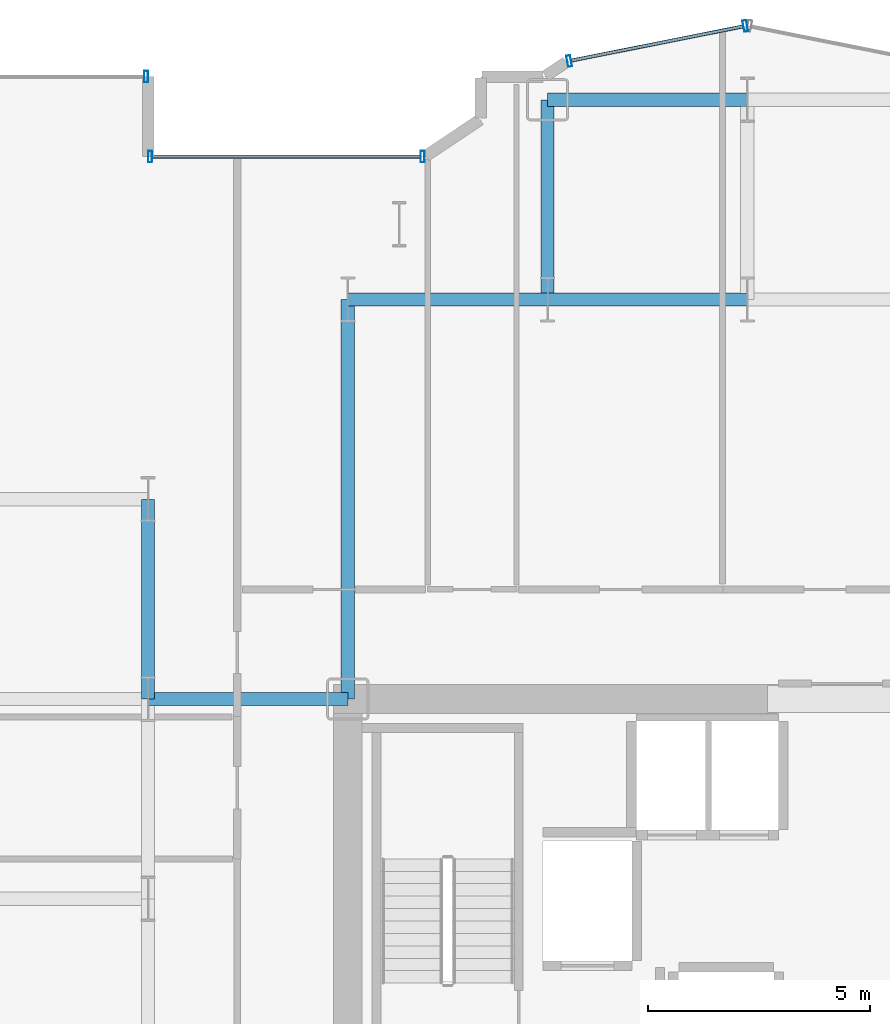
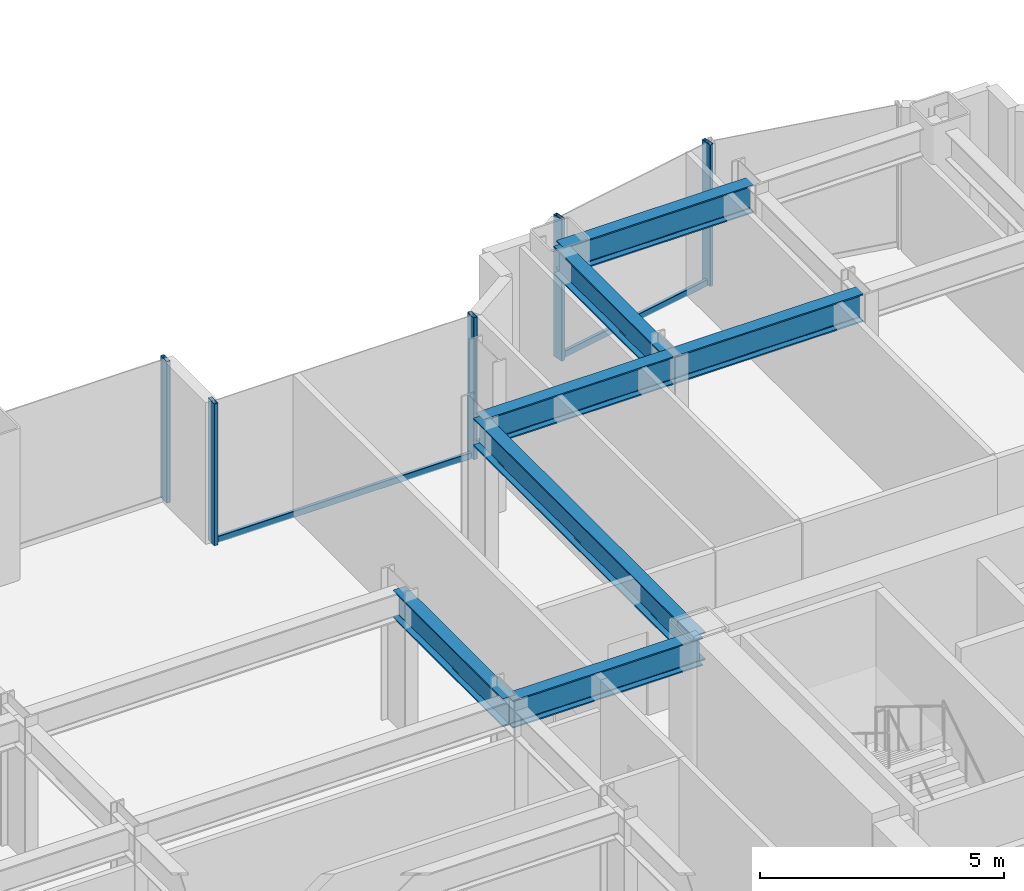
# One storey, part 10 of 25: 7 beams, 7 members, 3 elements without a shape of their own.
"""IFC4 building model written with IfcOpenShell, lengths in metres."""

from ifc_helpers import new_model, si_unit, direction, frame, origin, origin_2d, place, context, subcontext, project, spatial, hollow_rectangle, i_section, extrude, source, transform, mapped, material, layer, layer_set, material_profile, profile_set, type_object, element, aggregate, save


model = new_model("IFC4")

# Units and contexts
model_context = context("Model", 3, precision=1e-05, world=origin(), true_north=direction((0.0, 1.0)))
body_context = subcontext(model_context, "Body", "Model", "MODEL_VIEW")
ifc_project = project(units=[si_unit("LENGTHUNIT", "METRE"), si_unit("AREAUNIT", "SQUARE_METRE"), si_unit("VOLUMEUNIT", "CUBIC_METRE"), si_unit("PLANEANGLEUNIT", "RADIAN"), si_unit("MASSUNIT", "GRAM", prefix="KILO")], contexts=[model_context])

# Site, building, storey
site_placement = place(None, origin())
site = spatial("IfcSite", under=ifc_project, at=site_placement, CompositionType="ELEMENT")
building_placement = place(site_placement, origin())
building = spatial("IfcBuilding", under=site, at=building_placement, Name="Nefas-Gora Pilgrimage Tower", CompositionType="ELEMENT")
storey_placement = place(building_placement, frame((0.0, 0.0, 71.0)))
storey = spatial("IfcBuildingStorey", under=building, at=storey_placement, Name="L16", CompositionType="ELEMENT", Elevation=71.0)

# Beams
ifc_material_1 = material(Name="Steel S355", Category="steel")
ifc_material_profile_1 = material_profile(ifc_material_1, i_section(OverallWidth=0.300048828125, OverallDepth=0.699951171875, WebThickness=0.01708984375, FlangeThickness=0.031982421875, FilletRadius=0.027099609375, at=origin_2d()), Name="HEB 700")
ifc_profile_set_1 = profile_set([ifc_material_profile_1], Name="Steel S355")
beam_type = type_object("IfcBeamType", Name="BM-GIR-HEB700", PredefinedType="BEAM", material=ifc_profile_set_1)
shared_shape_1 = source(origin(), body_context, "Body", "SweptSolid", [
    extrude(i_section(OverallWidth=0.300048828125, OverallDepth=0.699951171875, WebThickness=0.01708984375, FlangeThickness=0.031982421875, FilletRadius=0.027099609375, at=origin_2d()), origin(), (0.0, 0.0, 1.0), 9.0),
])
beam_placement = place(storey_placement, frame((-11.25, 9.0, 3.199951171875), z_axis=(0.0, 1.0, 0.0), x_axis=(-1.0, 0.0, 0.0)))
element("IfcBeam", 1, at=beam_placement, inside=storey, type_object=beam_type, Name="L16 G-02 beam", PredefinedType="BEAM", context=body_context, shape_type="MappedRepresentation", body=[
    mapped(shared_shape_1, transform((0.0, 0.0, 0.0), x_axis=(1.0, 0.0, 0.0), y_axis=(0.0, 1.0, 0.0), z_axis=(0.0, 0.0, 1.0), scale=1.0)),
])
shared_shape_2 = source(origin(), body_context, "Body", "SweptSolid", [
    extrude(i_section(OverallWidth=0.300048828125, OverallDepth=0.699951171875, WebThickness=0.01708984375, FlangeThickness=0.031982421875, FilletRadius=0.027099609375, at=origin_2d()), origin(), (0.0, 0.0, 1.0), 4.5),
])
for number, where, z_axis, x_axis, name in (
    (2, (-15.75, 9.0, 3.199951171875), (0.0, 1.0, 0.0), (-1.0, 0.0, 0.0), "L16 G-02 beam"),
    (3, (-15.75, 9.0, 3.199951171875), (1.0, 0.0, 0.0), (0.0, 1.0, 0.0), "L16 G-02 beam"),
    (4, (-11.25, 18.0, 3.199951171875), (1.0, 0.0, 0.0), (0.0, 1.0, 0.0), "L16 G-02 beam"),
    (5, (-6.75, 18.0, 3.199951171875), (0.0, 1.0, 0.0), (-1.0, 0.0, 0.0), "L16 G-02 beam"),
    (6, (-6.75, 18.0, 3.199951171875), (1.0, 0.0, 0.0), (0.0, 1.0, 0.0), "L16 G-02 beam"),
    (7, (-6.75, 22.5, 3.199951171875), (1.0, 0.0, 0.0), (0.0, 1.0, 0.0), "L16 G-02 beam"),
):
    element("IfcBeam", number, at=place(storey_placement, frame(where, z_axis=z_axis, x_axis=x_axis)), inside=storey, type_object=beam_type, Name=name, PredefinedType="BEAM", context=body_context, shape_type="MappedRepresentation", body=[
        mapped(shared_shape_2, transform((0.0, 0.0, 0.0), x_axis=(1.0, 0.0, 0.0), y_axis=(0.0, 1.0, 0.0), z_axis=(0.0, 0.0, 1.0), scale=1.0)),
    ])

# Curtain wall, members
ifc_material_2 = material(Name="Dark ceramic-fritted solar-control aluminium-glass curtain wall", Category="aluminium")
ifc_layer_1 = layer(ifc_material_2, 0.219970703125)
ifc_layer_set_1 = layer_set([ifc_layer_1], Name="Dark ceramic-fritted solar-control aluminium-glass curtain wall")
curtain_wall_type_1 = type_object("IfcCurtainWallType", Name="CW-SYS-5", PredefinedType="NOTDEFINED", material=ifc_layer_set_1)
curtain_wall_1_placement = place(storey_placement, origin())
curtain_wall_1 = element("IfcCurtainWall", 8, at=curtain_wall_1_placement, inside=storey, type_object=curtain_wall_type_1, Name="L16 Unitised Curtain Wall CW5", PredefinedType="NOTDEFINED")
ifc_material_3 = material(Name="Anodised architectural aluminium", Category="aluminium")
ifc_material_profile_2 = material_profile(ifc_material_3, hollow_rectangle(XDim=0.090087890625, YDim=0.260009765625, WallThickness=0.006103515625, InnerFilletRadius=0.006103515625, OuterFilletRadius=0.011962890625, at=origin_2d()), Name="ALU MULLION 90x260")
ifc_profile_set_2 = profile_set([ifc_material_profile_2], Name="Anodised architectural aluminium")
member_type_1 = type_object("IfcMemberType", Name="CWM-MUL-5", PredefinedType="MULLION", material=ifc_profile_set_2)
shared_shape_3 = source(origin(), body_context, "Body", "SweptSolid", [
    extrude(hollow_rectangle(XDim=0.090087890625, YDim=0.260009765625, WallThickness=0.006103515625, InnerFilletRadius=0.006103515625, OuterFilletRadius=0.011962890625, at=origin_2d()), origin(), (0.0, 0.0, 1.0), 3.550048828125),
])
member_1_placement = place(storey_placement, frame((-2.294189453125, 24.16357421875, 0.0), z_axis=(0.0, 0.0, 1.0), x_axis=(-0.980782896852, -0.195102304554, 0.0)))
member_1 = element("IfcMember", 9, at=member_1_placement, type_object=member_type_1, Name="CW5 Mullion 1", PredefinedType="MULLION", context=body_context, shape_type="MappedRepresentation", body=[
    mapped(shared_shape_3, transform((0.0, 0.0, 0.0), x_axis=(1.0, 0.0, 0.0), y_axis=(0.0, 1.0, 0.0), z_axis=(0.0, 0.0, 1.0), scale=1.0)),
])
member_2_placement = place(storey_placement, frame((-6.26318359375, 23.3740234375, 0.0), z_axis=(0.0, 0.0, 1.0), x_axis=(-0.980782896852, -0.195102304554, 0.0)))
member_2 = element("IfcMember", 10, at=member_2_placement, type_object=member_type_1, Name="CW5 Mullion 2", PredefinedType="MULLION", context=body_context, shape_type="MappedRepresentation", body=[
    mapped(shared_shape_3, transform((0.0, 0.0, 0.0), x_axis=(1.0, 0.0, 0.0), y_axis=(0.0, 1.0, 0.0), z_axis=(0.0, 0.0, 1.0), scale=1.0)),
])

curtain_wall_2_placement = place(storey_placement, origin())
curtain_wall_2 = element("IfcCurtainWall", 11, at=curtain_wall_2_placement, inside=storey, type_object=curtain_wall_type_1, Name="L16 Unitised Curtain Wall CW5", PredefinedType="NOTDEFINED")
member_3_placement = place(storey_placement, frame((-9.56298828125, 21.219970703125, 0.0), z_axis=(0.0, 0.0, 1.0), x_axis=(-1.0, 0.0, 0.0)))
member_3 = element("IfcMember", 12, at=member_3_placement, type_object=member_type_1, Name="CW5 Mullion 1", PredefinedType="MULLION", context=body_context, shape_type="MappedRepresentation", body=[
    mapped(shared_shape_3, transform((0.0, 0.0, 0.0), x_axis=(1.0, 0.0, 0.0), y_axis=(0.0, 1.0, 0.0), z_axis=(0.0, 0.0, 1.0), scale=1.0)),
])
member_4_placement = place(storey_placement, frame((-15.705078125, 21.219970703125, 0.0), z_axis=(0.0, 0.0, 1.0), x_axis=(-1.0, 0.0, 0.0)))
member_4 = element("IfcMember", 13, at=member_4_placement, type_object=member_type_1, Name="CW5 Mullion 2", PredefinedType="MULLION", context=body_context, shape_type="MappedRepresentation", body=[
    mapped(shared_shape_3, transform((0.0, 0.0, 0.0), x_axis=(1.0, 0.0, 0.0), y_axis=(0.0, 1.0, 0.0), z_axis=(0.0, 0.0, 1.0), scale=1.0)),
])
ifc_material_profile_3 = material_profile(ifc_material_3, hollow_rectangle(XDim=0.080078125, YDim=0.159912109375, WallThickness=0.00439453125, InnerFilletRadius=0.00439453125, OuterFilletRadius=0.009033203125, at=origin_2d()), Name="ALU TRANSOM 80x160")
ifc_profile_set_3 = profile_set([ifc_material_profile_3], Name="Anodised architectural aluminium")
member_type_2 = type_object("IfcMemberType", Name="CWM-TRN-5", PredefinedType="USERDEFINED", material=ifc_profile_set_3)
shared_shape_4 = source(origin(), body_context, "Body", "SweptSolid", [
    extrude(hollow_rectangle(XDim=0.080078125, YDim=0.159912109375, WallThickness=0.00439453125, InnerFilletRadius=0.00439453125, OuterFilletRadius=0.009033203125, at=origin_2d()), origin(), (0.0, 0.0, 1.0), 6.052001953125),
])
member_5_placement = place(storey_placement, frame((-9.60791015625, 21.219970703125, 0.050048828125), z_axis=(-1.0, 0.0, 0.0), x_axis=(0.0, -1.0, 0.0)))
member_5 = element("IfcMember", 14, at=member_5_placement, type_object=member_type_2, Name="CW5 Spandrel Transom", ObjectType="TRANSOM", PredefinedType="USERDEFINED", context=body_context, shape_type="MappedRepresentation", body=[
    mapped(shared_shape_4, transform((0.0, 0.0, 0.0), x_axis=(1.0, 0.0, 0.0), y_axis=(0.0, 1.0, 0.0), z_axis=(0.0, 0.0, 1.0), scale=1.0)),
])
aggregate(curtain_wall_2, [member_3, member_4, member_5])

# Curtain wall, member
ifc_layer_2 = layer(ifc_material_2, 0.219970703125)
ifc_layer_set_2 = layer_set([ifc_layer_2], Name="Dark ceramic-fritted solar-control aluminium-glass curtain wall")
curtain_wall_type_2 = type_object("IfcCurtainWallType", Name="CW-SYS-2", PredefinedType="NOTDEFINED", material=ifc_layer_set_2)
curtain_wall_3_placement = place(storey_placement, origin())
curtain_wall_3 = element("IfcCurtainWall", 15, at=curtain_wall_3_placement, inside=storey, type_object=curtain_wall_type_2, Name="L16 Unitised Curtain Wall CW2", PredefinedType="NOTDEFINED")
ifc_material_profile_4 = material_profile(ifc_material_3, hollow_rectangle(XDim=0.090087890625, YDim=0.260009765625, WallThickness=0.006103515625, InnerFilletRadius=0.006103515625, OuterFilletRadius=0.011962890625, at=origin_2d()), Name="ALU MULLION 90x260")
ifc_profile_set_4 = profile_set([ifc_material_profile_4], Name="Anodised architectural aluminium")
member_type_3 = type_object("IfcMemberType", Name="CWM-MUL-2", PredefinedType="MULLION", material=ifc_profile_set_4)
shared_shape_5 = source(origin(), body_context, "Body", "SweptSolid", [
    extrude(hollow_rectangle(XDim=0.090087890625, YDim=0.260009765625, WallThickness=0.006103515625, InnerFilletRadius=0.006103515625, OuterFilletRadius=0.011962890625, at=origin_2d()), origin(), (0.0, 0.0, 1.0), 3.550048828125),
])
member_6_placement = place(storey_placement, frame((-15.794921875, 23.02001953125, 0.0), z_axis=(0.0, 0.0, 1.0), x_axis=(-1.0, 0.0, 0.0)))
member_6 = element("IfcMember", 16, at=member_6_placement, type_object=member_type_3, Name="CW2 Mullion 1", PredefinedType="MULLION", context=body_context, shape_type="MappedRepresentation", body=[
    mapped(shared_shape_5, transform((0.0, 0.0, 0.0), x_axis=(1.0, 0.0, 0.0), y_axis=(0.0, 1.0, 0.0), z_axis=(0.0, 0.0, 1.0), scale=1.0)),
])
aggregate(curtain_wall_3, [member_6])

# Member
shared_shape_6 = source(origin(), body_context, "Body", "SweptSolid", [
    extrude(hollow_rectangle(XDim=0.080078125, YDim=0.159912109375, WallThickness=0.00439453125, InnerFilletRadius=0.00439453125, OuterFilletRadius=0.009033203125, at=origin_2d()), origin(), (0.0, 0.0, 1.0), 3.95654296875),
])
member_7_placement = place(storey_placement, frame((-2.33837890625, 24.15478515625, 0.050048828125), z_axis=(-0.980781880918, -0.195107411605, 0.0), x_axis=(0.195107411605, -0.980781880918, 0.0)))
member_7 = element("IfcMember", 17, at=member_7_placement, type_object=member_type_2, Name="CW5 Spandrel Transom", ObjectType="TRANSOM", PredefinedType="USERDEFINED", context=body_context, shape_type="MappedRepresentation", body=[
    mapped(shared_shape_6, transform((0.0, 0.0, 0.0), x_axis=(1.0, 0.0, 0.0), y_axis=(0.0, 1.0, 0.0), z_axis=(0.0, 0.0, 1.0), scale=1.0)),
])

aggregate(curtain_wall_1, [member_1, member_2, member_7])

save(model, "model.ifc")
